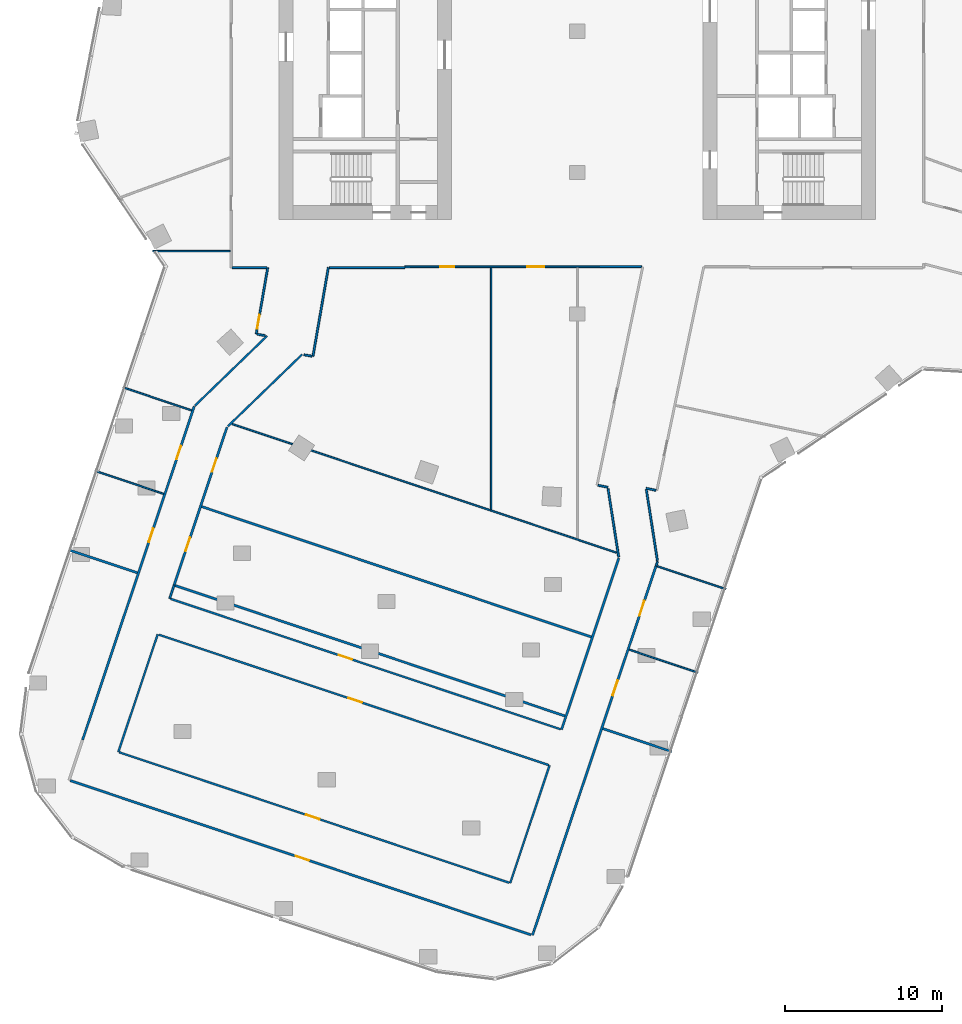
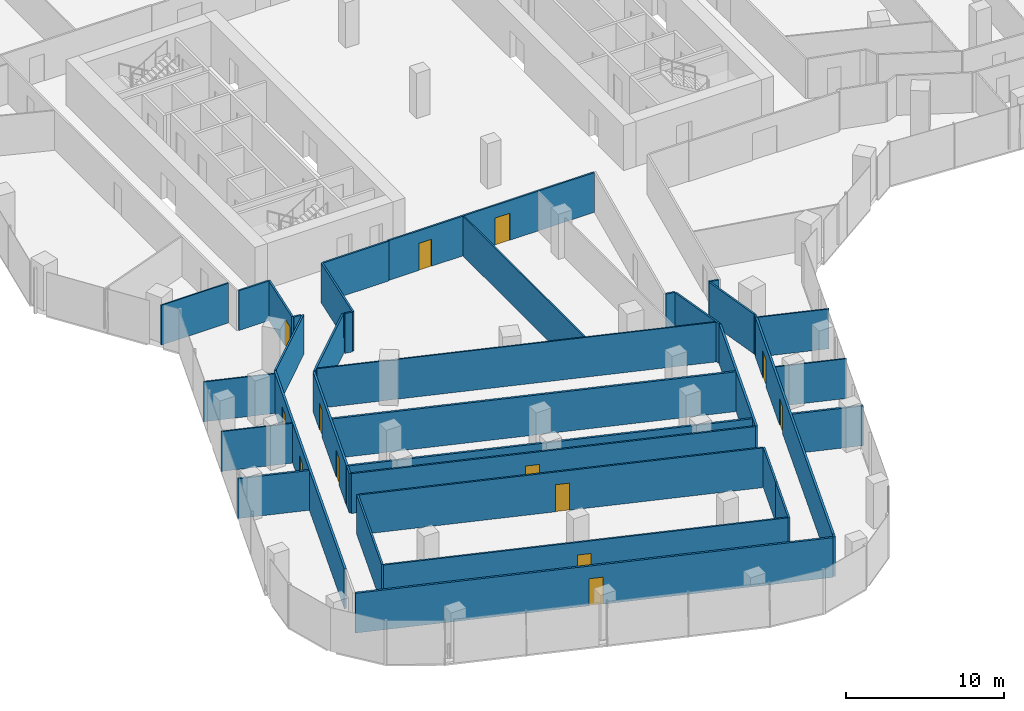
# One storey, part 22 of 32: 38 walls, 13 doors, 13 openings.
"""IFC4 building model written with IfcOpenShell, lengths in metres."""

from ifc_helpers import new_model, si_unit, direction, frame, frame_2d, origin, place, context, subcontext, project, spatial, rectangle, extrude, material, layer, layer_set, type_object, element, fill, save


model = new_model("IFC4")

# Units and contexts
model_context = context("Model", 3, precision=1e-05, world=origin(), true_north=direction((0.0, 1.0)))
body_context = subcontext(model_context, "Body", "Model", "MODEL_VIEW")
ifc_project = project(units=[si_unit("LENGTHUNIT", "METRE"), si_unit("AREAUNIT", "SQUARE_METRE"), si_unit("VOLUMEUNIT", "CUBIC_METRE"), si_unit("PLANEANGLEUNIT", "RADIAN"), si_unit("MASSUNIT", "GRAM", prefix="KILO")], contexts=[model_context])

# Site, building, storey
site_placement = place(None, origin())
site = spatial("IfcSite", under=ifc_project, at=site_placement, CompositionType="ELEMENT")
building_placement = place(site_placement, origin())
building = spatial("IfcBuilding", under=site, at=building_placement, Name="Orlundy Tower", CompositionType="ELEMENT")
storey_placement = place(building_placement, frame((0.0, 0.0, 152.60009765625)))
storey = spatial("IfcBuildingStorey", under=building, at=storey_placement, Name="L39", CompositionType="ELEMENT", Elevation=152.60009765625)

# Walls
ifc_material_1 = material(Name="Gypsum board partition")
ifc_layer_1 = layer(ifc_material_1, 0.10009765625)
ifc_layer_set_1 = layer_set([ifc_layer_1], Name="Floor partition 100")
wall_type_1 = type_object("IfcWallType", Name="Floor partition 100", PredefinedType="PARTITIONING", material=ifc_layer_set_1)
wall_1_placement = place(storey_placement, frame((-5.493896484375, -15.06201171875, 0.0), z_axis=(0.0, 0.0, 1.0), x_axis=(6.3425617e-05, -0.999999997989, 0.0)))
element("IfcWall", 1, at=wall_1_placement, inside=storey, type_object=wall_type_1, Name="wall-int-L39-001", PredefinedType="PARTITIONING", context=body_context, shape_type="SweptSolid", body=[
    extrude(rectangle(XDim=15.39697265625, YDim=0.10009765625, at=frame_2d((7.698486328125, 0.0))), origin(), (0.0, 0.0, 1.0), 3.079833984375),
])
wall_2_placement = place(storey_placement, frame((-30.721923828125, -27.9990234375, 0.0), z_axis=(0.0, 0.0, 1.0), x_axis=(0.948349739438, -0.317226688203, 0.0)))
element("IfcWall", 2, at=wall_2_placement, inside=storey, type_object=wall_type_1, Name="wall-int-L39-020", PredefinedType="PARTITIONING", context=body_context, shape_type="SweptSolid", body=[
    extrude(rectangle(XDim=4.618408203125, YDim=0.10009765625, at=frame_2d((2.30908203125, 0.0))), origin(), (0.0, 0.0, 1.0), 3.079833984375),
])
wall_3_placement = place(storey_placement, frame((3.305908203125, -39.384033203125, 0.0), z_axis=(0.0, 0.0, 1.0), x_axis=(0.948270131157, -0.317464578112, 0.0)))
element("IfcWall", 3, at=wall_3_placement, inside=storey, type_object=wall_type_1, Name="wall-int-L39-022", PredefinedType="PARTITIONING", context=body_context, shape_type="SweptSolid", body=[
    extrude(rectangle(XDim=4.617919921875, YDim=0.10009765625, at=frame_2d((2.30908203125, 0.0))), origin(), (0.0, 0.0, 1.0), 3.079833984375),
])
wall_4_placement = place(storey_placement, frame((-28.943115234375, -22.681884765625, 0.0), z_axis=(0.0, 0.0, 1.0), x_axis=(0.948355058718, -0.317210785763, 0.0)))
element("IfcWall", 4, at=wall_4_placement, inside=storey, type_object=wall_type_1, Name="wall-int-L39-023", PredefinedType="PARTITIONING", context=body_context, shape_type="SweptSolid", body=[
    extrude(rectangle(XDim=4.61865234375, YDim=0.10009765625, at=frame_2d((2.309326171875, 0.0))), origin(), (0.0, 0.0, 1.0), 3.079833984375),
])
wall_5_placement = place(storey_placement, frame((-21.97998046875, -25.011962890625, 0.0), z_axis=(0.0, 0.0, 1.0), x_axis=(0.948316725504, -0.31732536635, 0.0)))
element("IfcWall", 5, at=wall_5_placement, inside=storey, type_object=wall_type_1, Name="wall-int-L39-024", PredefinedType="PARTITIONING", context=body_context, shape_type="SweptSolid", body=[
    extrude(rectangle(XDim=25.8193359375, YDim=0.10009765625, at=frame_2d((12.90966796875, 0.0))), origin(), (0.0, 0.0, 1.0), 3.079833984375),
])
wall_6_placement = place(storey_placement, frame((5.083984375, -34.068115234375, 0.0), z_axis=(0.0, 0.0, 1.0), x_axis=(0.948370959481, -0.317163243793, 0.0)))
element("IfcWall", 6, at=wall_6_placement, inside=storey, type_object=wall_type_1, Name="wall-int-L39-025", PredefinedType="PARTITIONING", context=body_context, shape_type="SweptSolid", body=[
    extrude(rectangle(XDim=4.61865234375, YDim=0.10009765625, at=frame_2d((2.309326171875, 0.0))), origin(), (0.0, 0.0, 1.0), 3.079833984375),
])
wall_7_placement = place(storey_placement, frame((-27.044921875, -14.0, 0.0), z_axis=(0.0, 0.0, 1.0), x_axis=(1.0, 0.0, 0.0)))
element("IfcWall", 7, at=wall_7_placement, inside=storey, type_object=wall_type_1, Name="wall-int-L39-051", PredefinedType="PARTITIONING", context=body_context, shape_type="SweptSolid", body=[
    extrude(rectangle(XDim=4.931884765625, YDim=0.10009765625, at=frame_2d((2.4658203125, 0.0))), origin(), (0.0, 0.0, 1.0), 3.079833984375),
])
ifc_material_2 = material(Name="Gypsum board partition, double layer")
ifc_layer_2 = layer(ifc_material_2, 0.125)
ifc_layer_set_2 = layer_set([ifc_layer_2], Name="Floor partition 125")
wall_type_2 = type_object("IfcWallType", Name="Floor partition 125", PredefinedType="PARTITIONING", material=ifc_layer_set_2)
wall_8_placement = place(storey_placement, frame((2.632080078125, -33.485107421875, 0.0), z_axis=(0.0, 0.0, 1.0), x_axis=(-0.153927089286, 0.988082208717, 0.0)))
element("IfcWall", 8, at=wall_8_placement, inside=storey, type_object=wall_type_2, Name="wall-int-L39-004", PredefinedType="PARTITIONING", context=body_context, shape_type="SweptSolid", body=[
    extrude(rectangle(XDim=4.404541015625, YDim=0.125, at=frame_2d((2.2021484375, 0.0))), origin(), (0.0, 0.0, 1.0), 3.079833984375),
])
wall_9_placement = place(storey_placement, frame((4.39404296875, -29.196044921875, 0.0), z_axis=(0.0, 0.0, 1.0), x_axis=(0.153813799922, -0.9880998507, 0.0)))
element("IfcWall", 9, at=wall_9_placement, inside=storey, type_object=wall_type_2, Name="wall-int-L39-005", PredefinedType="PARTITIONING", context=body_context, shape_type="SweptSolid", body=[
    extrude(rectangle(XDim=4.563232421875, YDim=0.125, at=frame_2d((2.28173828125, 0.0))), origin(), (0.0, 0.0, 1.0), 3.079833984375),
])

# Wall, opening, door
wall_10_placement = place(storey_placement, frame((-29.1708984375, -45.9169921875, 0.0), z_axis=(0.0, 0.0, 1.0), x_axis=(0.948337781815, -0.317262433299, 0.0)))
wall_10 = element("IfcWall", 10, at=wall_10_placement, inside=storey, type_object=wall_type_2, Name="wall-int-L39-014", PredefinedType="PARTITIONING", context=body_context, shape_type="SweptSolid", body=[
    extrude(rectangle(XDim=26.186767578125, YDim=0.125, at=frame_2d((13.09326171875, 0.0))), origin(), (0.0, 0.0, 1.0), 3.079833984375),
])
opening_1_placement = place(wall_10_placement, frame((12.53759765625, 0.0, 0.0)))
opening_1 = element("IfcOpeningElement", 11, at=opening_1_placement, cuts=wall_10, Name="Opening 30113", PredefinedType="OPENING", context=body_context, shape_type="SweptSolid", body=[
    extrude(rectangle(XDim=0.89990234375, YDim=2.10009765625, at=frame_2d((0.449951171875, 1.050048828125))), frame((0.0, 0.072509765625, 0.0), z_axis=(0.0, -1.0, 0.0), x_axis=(1.0, 0.0, 0.0)), (0.0, 0.0, 1.0), 0.14501953125),
])
ifc_material_3 = material(Name="Timber door leaf", Category="wood")
door_type_1 = type_object("IfcDoorType", Name="Floor door single 900 FD30S", OperationType="NOTDEFINED", PredefinedType="DOOR", material=ifc_material_3)
door_1_placement = place(opening_1_placement, origin())
door_1 = element("IfcDoor", 12, at=door_1_placement, inside=storey, type_object=door_type_1, Name="Door 30113", OperationType="SINGLE_SWING_LEFT", OverallHeight=2.10009765625, OverallWidth=0.89990234375, PredefinedType="DOOR", context=body_context, shape_type="SweptSolid", body=[
    extrude(rectangle(XDim=0.89990234375, YDim=2.10009765625, at=frame_2d((0.449951171875, 1.050048828125))), frame((0.0, 0.02490234375, 0.0), z_axis=(0.0, -1.0, 0.0), x_axis=(1.0, 0.0, 0.0)), (0.0, 0.0, 1.0), 0.050048828125),
])
fill(opening_1, door_1)

wall_11_placement = place(storey_placement, frame((-1.8291015625, -46.73193359375, 0.0), z_axis=(0.0, 0.0, 1.0), x_axis=(-0.948329366448, 0.317287586791, 0.0)))
wall_11 = element("IfcWall", 13, at=wall_11_placement, inside=storey, type_object=wall_type_2, Name="wall-int-L39-015", PredefinedType="PARTITIONING", context=body_context, shape_type="SweptSolid", body=[
    extrude(rectangle(XDim=26.18701171875, YDim=0.125, at=frame_2d((13.093505859375, 0.0))), origin(), (0.0, 0.0, 1.0), 3.079833984375),
])
opening_2_placement = place(wall_11_placement, frame((12.53759765625, 0.0, 0.0)))
opening_2 = element("IfcOpeningElement", 14, at=opening_2_placement, cuts=wall_11, Name="Opening 30114", PredefinedType="OPENING", context=body_context, shape_type="SweptSolid", body=[
    extrude(rectangle(XDim=0.89990234375, YDim=2.10009765625, at=frame_2d((0.449951171875, 1.050048828125))), frame((0.0, 0.072509765625, 0.0), z_axis=(0.0, -1.0, 0.0), x_axis=(1.0, 0.0, 0.0)), (0.0, 0.0, 1.0), 0.14501953125),
])
door_2_placement = place(opening_2_placement, origin())
door_2 = element("IfcDoor", 15, at=door_2_placement, inside=storey, type_object=door_type_1, Name="Door 30114", OperationType="SINGLE_SWING_LEFT", OverallHeight=2.10009765625, OverallWidth=0.89990234375, PredefinedType="DOOR", context=body_context, shape_type="SweptSolid", body=[
    extrude(rectangle(XDim=0.89990234375, YDim=2.10009765625, at=frame_2d((0.449951171875, 1.050048828125))), frame((0.0, 0.02490234375, 0.0), z_axis=(0.0, -1.0, 0.0), x_axis=(1.0, 0.0, 0.0)), (0.0, 0.0, 1.0), 0.050048828125),
])
fill(opening_2, door_2)

wall_12_placement = place(storey_placement, frame((-25.90087890625, -36.14599609375, 0.0), z_axis=(0.0, 0.0, 1.0), x_axis=(0.948327321089, -0.317293700025, 0.0)))
wall_12 = element("IfcWall", 16, at=wall_12_placement, inside=storey, type_object=wall_type_2, Name="wall-int-L39-016", PredefinedType="PARTITIONING", context=body_context, shape_type="SweptSolid", body=[
    extrude(rectangle(XDim=26.17431640625, YDim=0.125, at=frame_2d((13.087158203125, 0.0))), origin(), (0.0, 0.0, 1.0), 3.079833984375),
])
opening_3_placement = place(wall_12_placement, frame((11.28759765625, 0.0, 0.0)))
opening_3 = element("IfcOpeningElement", 17, at=opening_3_placement, cuts=wall_12, Name="Opening 30112", PredefinedType="OPENING", context=body_context, shape_type="SweptSolid", body=[
    extrude(rectangle(XDim=0.89990234375, YDim=2.10009765625, at=frame_2d((0.449951171875, 1.050048828125))), frame((0.0, 0.072509765625, 0.0), z_axis=(0.0, -1.0, 0.0), x_axis=(1.0, 0.0, 0.0)), (0.0, 0.0, 1.0), 0.14501953125),
])
door_3_placement = place(opening_3_placement, origin())
door_3 = element("IfcDoor", 18, at=door_3_placement, inside=storey, type_object=door_type_1, Name="Door 30112", OperationType="SINGLE_SWING_LEFT", OverallHeight=2.10009765625, OverallWidth=0.89990234375, PredefinedType="DOOR", context=body_context, shape_type="SweptSolid", body=[
    extrude(rectangle(XDim=0.89990234375, YDim=2.10009765625, at=frame_2d((0.449951171875, 1.050048828125))), frame((0.0, 0.02490234375, 0.0), z_axis=(0.0, -1.0, 0.0), x_axis=(1.0, 0.0, 0.0)), (0.0, 0.0, 1.0), 0.050048828125),
])
fill(opening_3, door_3)

# Walls
wall_13_placement = place(storey_placement, frame((4.3798828125, -29.10693359375, 0.0), z_axis=(0.0, 0.0, 1.0), x_axis=(0.978635010671, -0.205605242852, 0.0)))
element("IfcWall", 19, at=wall_13_placement, inside=storey, type_object=wall_type_2, Name="wall-int-L39-029", PredefinedType="PARTITIONING", context=body_context, shape_type="SweptSolid", body=[
    extrude(rectangle(XDim=0.6376953125, YDim=0.125, at=frame_2d((0.31884765625, 0.0))), origin(), (0.0, 0.0, 1.0), 3.079833984375),
])
wall_14_placement = place(storey_placement, frame((1.31591796875, -28.9140625, 0.0), z_axis=(0.0, 0.0, 1.0), x_axis=(0.979018641563, -0.203770703174, 0.0)))
element("IfcWall", 20, at=wall_14_placement, inside=storey, type_object=wall_type_2, Name="wall-int-L39-030", PredefinedType="PARTITIONING", context=body_context, shape_type="SweptSolid", body=[
    extrude(rectangle(XDim=0.637451171875, YDim=0.125, at=frame_2d((0.31884765625, 0.0))), origin(), (0.0, 0.0, 1.0), 3.079833984375),
])
wall_15_placement = place(storey_placement, frame((-17.407958984375, -20.60791015625, 0.0), z_axis=(0.0, 0.0, 1.0), x_axis=(0.985229157149, -0.171241081238, 0.0)))
element("IfcWall", 21, at=wall_15_placement, inside=storey, type_object=wall_type_2, Name="wall-int-L39-032", PredefinedType="PARTITIONING", context=body_context, shape_type="SweptSolid", body=[
    extrude(rectangle(XDim=0.5146484375, YDim=0.125, at=frame_2d((0.25732421875, 0.0))), origin(), (0.0, 0.0, 1.0), 3.079833984375),
])
wall_16_placement = place(storey_placement, frame((-20.386962890625, -19.297119140625, 0.0), z_axis=(0.0, 0.0, 1.0), x_axis=(0.985183769906, -0.171502010235, 0.0)))
element("IfcWall", 22, at=wall_16_placement, inside=storey, type_object=wall_type_2, Name="wall-int-L39-033", PredefinedType="PARTITIONING", context=body_context, shape_type="SweptSolid", body=[
    extrude(rectangle(XDim=0.512451171875, YDim=0.125, at=frame_2d((0.25634765625, 0.0))), origin(), (0.0, 0.0, 1.0), 3.079833984375),
])
wall_17_placement = place(storey_placement, frame((-21.988037109375, -15.051025390625, 0.0), z_axis=(0.0, 0.0, 1.0), x_axis=(1.0, 0.0, 0.0)))
element("IfcWall", 23, at=wall_17_placement, inside=storey, type_object=wall_type_2, Name="wall-int-L39-046", PredefinedType="PARTITIONING", context=body_context, shape_type="SweptSolid", body=[
    extrude(rectangle(XDim=2.212158203125, YDim=0.125, at=frame_2d((1.10595703125, 0.0))), origin(), (0.0, 0.0, 1.0), 3.079833984375),
])
wall_18_placement = place(storey_placement, frame((-15.79296875, -15.051025390625, 0.0), z_axis=(0.0, 0.0, 1.0), x_axis=(1.0, 0.0, 0.0)))
element("IfcWall", 24, at=wall_18_placement, inside=storey, type_object=wall_type_2, Name="wall-int-L39-047", PredefinedType="PARTITIONING", context=body_context, shape_type="SweptSolid", body=[
    extrude(rectangle(XDim=4.802001953125, YDim=0.125, at=frame_2d((2.40087890625, 0.0))), origin(), (0.0, 0.0, 1.0), 3.079833984375),
])

# Wall, openings, doors
wall_19_placement = place(storey_placement, frame((4.091064453125, -14.998046875, 0.0), z_axis=(0.0, 0.0, 1.0), x_axis=(-0.999999981131, -0.000194262769, 0.0)))
wall_19 = element("IfcWall", 25, at=wall_19_placement, inside=storey, type_object=wall_type_2, Name="wall-int-L39-049", PredefinedType="PARTITIONING", context=body_context, shape_type="SweptSolid", body=[
    extrude(rectangle(XDim=15.0810546875, YDim=0.125, at=frame_2d((7.54052734375, 0.0))), origin(), (0.0, 0.0, 1.0), 3.079833984375),
])
opening_4_placement = place(wall_19_placement, frame((11.934814453125, 0.0, 0.0)))
opening_4 = element("IfcOpeningElement", 26, at=opening_4_placement, cuts=wall_19, Name="Opening 30121", PredefinedType="OPENING", context=body_context, shape_type="SweptSolid", body=[
    extrude(rectangle(XDim=0.89990234375, YDim=2.10009765625, at=frame_2d((0.449951171875, 1.050048828125))), frame((0.0, 0.072509765625, 0.0), z_axis=(0.0, -1.0, 0.0), x_axis=(1.0, 0.0, 0.0)), (0.0, 0.0, 1.0), 0.14501953125),
])
opening_5_placement = place(wall_19_placement, frame((6.19091796875, 0.0, 0.0)))
opening_5 = element("IfcOpeningElement", 27, at=opening_5_placement, cuts=wall_19, Name="Opening 30122", PredefinedType="OPENING", context=body_context, shape_type="SweptSolid", body=[
    extrude(rectangle(XDim=1.10009765625, YDim=2.10009765625, at=frame_2d((0.550048828125, 1.050048828125))), frame((0.0, 0.072509765625, 0.0), z_axis=(0.0, -1.0, 0.0), x_axis=(1.0, 0.0, 0.0)), (0.0, 0.0, 1.0), 0.14501953125),
])
door_4_placement = place(opening_4_placement, origin())
door_4 = element("IfcDoor", 28, at=door_4_placement, inside=storey, type_object=door_type_1, Name="Door 30121", OperationType="SINGLE_SWING_RIGHT", OverallHeight=2.10009765625, OverallWidth=0.89990234375, PredefinedType="DOOR", context=body_context, shape_type="SweptSolid", body=[
    extrude(rectangle(XDim=0.89990234375, YDim=2.10009765625, at=frame_2d((0.449951171875, 1.050048828125))), frame((0.0, 0.02490234375, 0.0), z_axis=(0.0, -1.0, 0.0), x_axis=(1.0, 0.0, 0.0)), (0.0, 0.0, 1.0), 0.050048828125),
])
fill(opening_4, door_4)
ifc_material_4 = material(Name="Timber door leaf", Category="wood")
door_type_2 = type_object("IfcDoorType", Name="Floor door xwide 1100 FD30S", OperationType="NOTDEFINED", PredefinedType="DOOR", material=ifc_material_4)
door_5_placement = place(opening_5_placement, origin())
door_5 = element("IfcDoor", 29, at=door_5_placement, inside=storey, type_object=door_type_2, Name="Door 30122", OperationType="SINGLE_SWING_LEFT", OverallHeight=2.10009765625, OverallWidth=1.10009765625, PredefinedType="DOOR", context=body_context, shape_type="SweptSolid", body=[
    extrude(rectangle(XDim=1.10009765625, YDim=2.10009765625, at=frame_2d((0.550048828125, 1.050048828125))), frame((0.0, 0.02490234375, 0.0), z_axis=(0.0, -1.0, 0.0), x_axis=(1.0, 0.0, 0.0)), (0.0, 0.0, 1.0), 0.050048828125),
])
fill(opening_5, door_5)

# Walls
wall_20_placement = place(storey_placement, frame((-17.529052734375, -20.5869140625, 0.0), z_axis=(0.0, 0.0, 1.0), x_axis=(-0.71863386664, -0.69538864365, 0.0)))
element("IfcWall", 30, at=wall_20_placement, inside=storey, type_object=wall_type_2, Name="wall-int-L39-063", PredefinedType="PARTITIONING", context=body_context, shape_type="SweptSolid", body=[
    extrude(rectangle(XDim=6.57470703125, YDim=0.125, at=frame_2d((3.287353515625, 0.0))), origin(), (0.0, 0.0, 1.0), 3.079833984375),
])
wall_21_placement = place(storey_placement, frame((-24.344970703125, -23.841064453125, 0.0), z_axis=(0.0, 0.0, 1.0), x_axis=(0.718684819468, 0.695335983727, 0.0)))
element("IfcWall", 31, at=wall_21_placement, inside=storey, type_object=wall_type_2, Name="wall-int-L39-064", PredefinedType="PARTITIONING", context=body_context, shape_type="SweptSolid", body=[
    extrude(rectangle(XDim=6.378173828125, YDim=0.125, at=frame_2d((3.18896484375, 0.0))), origin(), (0.0, 0.0, 1.0), 3.079833984375),
])
wall_22_placement = place(storey_placement, frame((5.012939453125, -34.0439453125, 0.0), z_axis=(0.0, 0.0, 1.0), x_axis=(0.318483843222, 0.947928289274, 0.0)))
element("IfcWall", 32, at=wall_22_placement, inside=storey, type_object=wall_type_2, Name="wall-int-L39-066", PredefinedType="PARTITIONING", context=body_context, shape_type="SweptSolid", body=[
    extrude(rectangle(XDim=0.2919921875, YDim=0.125, at=frame_2d((0.14599609375, 0.0))), origin(), (0.0, 0.0, 1.0), 3.079833984375),
])
wall_23_placement = place(storey_placement, frame((-4.278076171875, -54.2451171875, 0.0), z_axis=(0.0, 0.0, 1.0), x_axis=(0.317469687011, 0.94826842077, 0.0)))
element("IfcWall", 33, at=wall_23_placement, inside=storey, type_object=wall_type_2, Name="wall-int-L39-068", PredefinedType="PARTITIONING", context=body_context, shape_type="SweptSolid", body=[
    extrude(rectangle(XDim=3.950439453125, YDim=0.125, at=frame_2d((1.97509765625, 0.0))), origin(), (0.0, 0.0, 1.0), 3.079833984375),
])
wall_24_placement = place(storey_placement, frame((-3.02392578125, -50.4990234375, 0.0), z_axis=(0.0, 0.0, 1.0), x_axis=(0.317339720629, 0.94831192216, 0.0)))
element("IfcWall", 34, at=wall_24_placement, inside=storey, type_object=wall_type_2, Name="wall-int-L39-069", PredefinedType="PARTITIONING", context=body_context, shape_type="SweptSolid", body=[
    extrude(rectangle(XDim=3.951416015625, YDim=0.125, at=frame_2d((1.9755859375, 0.0))), origin(), (0.0, 0.0, 1.0), 3.079833984375),
])
wall_25_placement = place(storey_placement, frame((-29.22998046875, -45.89697265625, 0.0), z_axis=(0.0, 0.0, 1.0), x_axis=(0.317376800691, 0.948299513014, 0.0)))
element("IfcWall", 35, at=wall_25_placement, inside=storey, type_object=wall_type_2, Name="wall-int-L39-071", PredefinedType="PARTITIONING", context=body_context, shape_type="SweptSolid", body=[
    extrude(rectangle(XDim=7.90234375, YDim=0.125, at=frame_2d((3.951171875, 0.0))), origin(), (0.0, 0.0, 1.0), 3.079833984375),
])
wall_26_placement = place(storey_placement, frame((-25.9599609375, -36.1259765625, 0.0), z_axis=(0.0, 0.0, 1.0), x_axis=(0.316799745903, 0.948492446462, 0.0)))
element("IfcWall", 36, at=wall_26_placement, inside=storey, type_object=wall_type_2, Name="wall-int-L39-073", PredefinedType="PARTITIONING", context=body_context, shape_type="SweptSolid", body=[
    extrude(rectangle(XDim=0.896240234375, YDim=0.125, at=frame_2d((0.4482421875, 0.0))), origin(), (0.0, 0.0, 1.0), 3.079833984375),
])
wall_27_placement = place(storey_placement, frame((-15.85595703125, -15.051025390625, 0.0), z_axis=(0.0, 0.0, 1.0), x_axis=(-0.171050411477, -0.985262278144, 0.0)))
element("IfcWall", 37, at=wall_27_placement, inside=storey, type_object=wall_type_2, Name="wall-int-L39-080", PredefinedType="PARTITIONING", context=body_context, shape_type="SweptSolid", body=[
    extrude(rectangle(XDim=5.74072265625, YDim=0.125, at=frame_2d((2.870361328125, 0.0))), origin(), (0.0, 0.0, 1.0), 3.079833984375),
])

# Wall, opening, door
wall_28_placement = place(storey_placement, frame((-20.449951171875, -19.285888671875, 0.0), z_axis=(0.0, 0.0, 1.0), x_axis=(0.171125236447, 0.985249284928, 0.0)))
wall_28 = element("IfcWall", 38, at=wall_28_placement, inside=storey, type_object=wall_type_2, Name="wall-int-L39-081", PredefinedType="PARTITIONING", context=body_context, shape_type="SweptSolid", body=[
    extrude(rectangle(XDim=4.294189453125, YDim=0.125, at=frame_2d((2.14697265625, 0.0))), origin(), (0.0, 0.0, 1.0), 3.079833984375),
])
opening_6_placement = place(wall_28_placement, frame((0.35009765625, 0.0, 0.0)))
opening_6 = element("IfcOpeningElement", 39, at=opening_6_placement, cuts=wall_28, Name="Opening 30120", PredefinedType="OPENING", context=body_context, shape_type="SweptSolid", body=[
    extrude(rectangle(XDim=0.89990234375, YDim=2.10009765625, at=frame_2d((0.449951171875, 1.050048828125))), frame((0.0, 0.072509765625, 0.0), z_axis=(0.0, -1.0, 0.0), x_axis=(1.0, 0.0, 0.0)), (0.0, 0.0, 1.0), 0.14501953125),
])
door_6_placement = place(opening_6_placement, origin())
door_6 = element("IfcDoor", 40, at=door_6_placement, inside=storey, type_object=door_type_1, Name="Door 30120", OperationType="SINGLE_SWING_LEFT", OverallHeight=2.10009765625, OverallWidth=0.89990234375, PredefinedType="DOOR", context=body_context, shape_type="SweptSolid", body=[
    extrude(rectangle(XDim=0.89990234375, YDim=2.10009765625, at=frame_2d((0.449951171875, 1.050048828125))), frame((0.0, 0.02490234375, 0.0), z_axis=(0.0, -1.0, 0.0), x_axis=(1.0, 0.0, 0.0)), (0.0, 0.0, 1.0), 0.050048828125),
])
fill(opening_6, door_6)

ifc_material_5 = material(Name="Blockwork shaft wall", Category="masonry")
ifc_layer_3 = layer(ifc_material_5, 0.14990234375)
ifc_layer_set_3 = layer_set([ifc_layer_3], Name="Floor shaft wall 150")
wall_type_3 = type_object("IfcWallType", Name="Floor shaft wall 150", PredefinedType="PARTITIONING", material=ifc_layer_set_3)
wall_29_placement = place(storey_placement, frame((-2.951904296875, -57.54296875, 0.0), z_axis=(0.0, 0.0, 1.0), x_axis=(-0.948265852258, 0.317477358942, 0.0)))
wall_29 = element("IfcWall", 41, at=wall_29_placement, inside=storey, type_object=wall_type_3, Name="wall-int-L39-013", PredefinedType="PARTITIONING", context=body_context, shape_type="SweptSolid", body=[
    extrude(rectangle(XDim=30.940673828125, YDim=0.14990234375, at=frame_2d((15.47021484375, 0.0))), origin(), (0.0, 0.0, 1.0), 3.079833984375),
])
opening_7_placement = place(wall_29_placement, frame((14.90283203125, 0.0, 0.0)))
opening_7 = element("IfcOpeningElement", 42, at=opening_7_placement, cuts=wall_29, Name="Opening 30115", PredefinedType="OPENING", context=body_context, shape_type="SweptSolid", body=[
    extrude(rectangle(XDim=0.89990234375, YDim=2.10009765625, at=frame_2d((0.449951171875, 1.050048828125))), frame((0.0, 0.0849609375, 0.0), z_axis=(0.0, -1.0, 0.0), x_axis=(1.0, 0.0, 0.0)), (0.0, 0.0, 1.0), 0.169921875),
])
ifc_material_6 = material(Name="Timber door leaf", Category="wood")
door_type_3 = type_object("IfcDoorType", Name="Floor door single 900 FD60", OperationType="NOTDEFINED", PredefinedType="DOOR", material=ifc_material_6)
door_7_placement = place(opening_7_placement, origin())
door_7 = element("IfcDoor", 43, at=door_7_placement, inside=storey, type_object=door_type_3, Name="Door 30115", OperationType="SINGLE_SWING_LEFT", OverallHeight=2.10009765625, OverallWidth=0.89990234375, PredefinedType="DOOR", context=body_context, shape_type="SweptSolid", body=[
    extrude(rectangle(XDim=0.89990234375, YDim=2.10009765625, at=frame_2d((0.449951171875, 1.050048828125))), frame((0.0, 0.02490234375, 0.0), z_axis=(0.0, -1.0, 0.0), x_axis=(1.0, 0.0, 0.0)), (0.0, 0.0, 1.0), 0.050048828125),
])
fill(opening_7, door_7)

# Walls
wall_30_placement = place(storey_placement, frame((-32.404052734375, -33.02490234375, 0.0), z_axis=(0.0, 0.0, 1.0), x_axis=(0.948376327841, -0.317147191049, 0.0)))
element("IfcWall", 44, at=wall_30_placement, inside=storey, type_object=wall_type_3, Name="wall-int-L39-017", PredefinedType="PARTITIONING", context=body_context, shape_type="SweptSolid", body=[
    extrude(rectangle(XDim=4.61962890625, YDim=0.14990234375, at=frame_2d((2.309814453125, 0.0))), origin(), (0.0, 0.0, 1.0), 3.079833984375),
])
wall_31_placement = place(storey_placement, frame((-25.60498046875, -35.300048828125, 0.0), z_axis=(0.0, 0.0, 1.0), x_axis=(0.948327152728, -0.317294203223, 0.0)))
element("IfcWall", 45, at=wall_31_placement, inside=storey, type_object=wall_type_3, Name="wall-int-L39-018", PredefinedType="PARTITIONING", context=body_context, shape_type="SweptSolid", body=[
    extrude(rectangle(XDim=26.161865234375, YDim=0.14990234375, at=frame_2d((13.0810546875, 0.0))), origin(), (0.0, 0.0, 1.0), 3.079833984375),
])
wall_32_placement = place(storey_placement, frame((1.6240234375, -44.410888671875, 0.0), z_axis=(0.0, 0.0, 1.0), x_axis=(0.948328454315, -0.317290313021, 0.0)))
element("IfcWall", 46, at=wall_32_placement, inside=storey, type_object=wall_type_3, Name="wall-int-L39-019", PredefinedType="PARTITIONING", context=body_context, shape_type="SweptSolid", body=[
    extrude(rectangle(XDim=4.617431640625, YDim=0.14990234375, at=frame_2d((2.30859375, 0.0))), origin(), (0.0, 0.0, 1.0), 3.079833984375),
])
wall_33_placement = place(storey_placement, frame((-23.923095703125, -30.27392578125, 0.0), z_axis=(0.0, 0.0, 1.0), x_axis=(0.948327152728, -0.317294203223, 0.0)))
element("IfcWall", 47, at=wall_33_placement, inside=storey, type_object=wall_type_3, Name="wall-int-L39-021", PredefinedType="PARTITIONING", context=body_context, shape_type="SweptSolid", body=[
    extrude(rectangle(XDim=26.161865234375, YDim=0.14990234375, at=frame_2d((13.0810546875, 0.0))), origin(), (0.0, 0.0, 1.0), 3.079833984375),
])
wall_34_placement = place(storey_placement, frame((-2.85791015625, -57.568115234375, 0.0), z_axis=(0.0, 0.0, 1.0), x_axis=(0.319888251559, 0.947455279427, 0.0)))
element("IfcWall", 48, at=wall_34_placement, inside=storey, type_object=wall_type_3, Name="wall-int-L39-065", PredefinedType="PARTITIONING", context=body_context, shape_type="SweptSolid", body=[
    extrude(rectangle(XDim=0.300048828125, YDim=0.14990234375, at=frame_2d((0.14990234375, 0.0))), origin(), (0.0, 0.0, 1.0), 3.079833984375),
])

# Wall, openings, doors
wall_35_placement = place(storey_placement, frame((5.011962890625, -34.0439453125, 0.0), z_axis=(0.0, 0.0, 1.0), x_axis=(-0.317228830318, -0.948349022889, 0.0)))
wall_35 = element("IfcWall", 49, at=wall_35_placement, inside=storey, type_object=wall_type_3, Name="wall-int-L39-067", PredefinedType="PARTITIONING", context=body_context, shape_type="SweptSolid", body=[
    extrude(rectangle(XDim=24.505615234375, YDim=0.14990234375, at=frame_2d((12.2529296875, 0.0))), origin(), (0.0, 0.0, 1.0), 3.079833984375),
])
opening_8_placement = place(wall_35_placement, frame((2.349365234375, 0.0, 0.0)))
opening_8 = element("IfcOpeningElement", 50, at=opening_8_placement, cuts=wall_35, Name="Opening 30108", PredefinedType="OPENING", context=body_context, shape_type="SweptSolid", body=[
    extrude(rectangle(XDim=1.0, YDim=2.10009765625, at=frame_2d((0.5, 1.050048828125))), frame((0.0, 0.0849609375, 0.0), z_axis=(0.0, -1.0, 0.0), x_axis=(1.0, 0.0, 0.0)), (0.0, 0.0, 1.0), 0.169921875),
])
opening_9_placement = place(wall_35_placement, frame((7.704833984375, 0.0, 0.0)))
opening_9 = element("IfcOpeningElement", 51, at=opening_9_placement, cuts=wall_35, Name="Opening 30109", PredefinedType="OPENING", context=body_context, shape_type="SweptSolid", body=[
    extrude(rectangle(XDim=1.0, YDim=2.10009765625, at=frame_2d((0.5, 1.050048828125))), frame((0.0, 0.0849609375, 0.0), z_axis=(0.0, -1.0, 0.0), x_axis=(1.0, 0.0, 0.0)), (0.0, 0.0, 1.0), 0.169921875),
])
ifc_material_7 = material(Name="Timber door leaf", Category="wood")
door_type_4 = type_object("IfcDoorType", Name="Floor door wide 1000 FD60", OperationType="NOTDEFINED", PredefinedType="DOOR", material=ifc_material_7)
door_8_placement = place(opening_8_placement, origin())
door_8 = element("IfcDoor", 52, at=door_8_placement, inside=storey, type_object=door_type_4, Name="Door 30108", OperationType="SINGLE_SWING_LEFT", OverallHeight=2.10009765625, OverallWidth=1.0, PredefinedType="DOOR", context=body_context, shape_type="SweptSolid", body=[
    extrude(rectangle(XDim=1.0, YDim=2.10009765625, at=frame_2d((0.5, 1.050048828125))), frame((0.0, 0.02490234375, 0.0), z_axis=(0.0, -1.0, 0.0), x_axis=(1.0, 0.0, 0.0)), (0.0, 0.0, 1.0), 0.050048828125),
])
fill(opening_8, door_8)
door_9_placement = place(opening_9_placement, origin())
door_9 = element("IfcDoor", 53, at=door_9_placement, inside=storey, type_object=door_type_4, Name="Door 30109", OperationType="SINGLE_SWING_LEFT", OverallHeight=2.10009765625, OverallWidth=1.0, PredefinedType="DOOR", context=body_context, shape_type="SweptSolid", body=[
    extrude(rectangle(XDim=1.0, YDim=2.10009765625, at=frame_2d((0.5, 1.050048828125))), frame((0.0, 0.02490234375, 0.0), z_axis=(0.0, -1.0, 0.0), x_axis=(1.0, 0.0, 0.0)), (0.0, 0.0, 1.0), 0.050048828125),
])
fill(opening_9, door_9)

# Wall
wall_36_placement = place(storey_placement, frame((-1.008056640625, -44.47509765625, 0.0), z_axis=(0.0, 0.0, 1.0), x_axis=(0.316889155775, 0.948462578572, 0.0)))
element("IfcWall", 54, at=wall_36_placement, inside=storey, type_object=wall_type_3, Name="wall-int-L39-070", PredefinedType="PARTITIONING", context=body_context, shape_type="SweptSolid", body=[
    extrude(rectangle(XDim=11.515625, YDim=0.14990234375, at=frame_2d((5.7578125, 0.0))), origin(), (0.0, 0.0, 1.0), 3.079833984375),
])

# Wall, openings, doors
wall_37_placement = place(storey_placement, frame((-22.306884765625, -25.2099609375, 0.0), z_axis=(0.0, 0.0, 1.0), x_axis=(-0.317400526235, -0.948291572221, 0.0)))
wall_37 = element("IfcWall", 55, at=wall_37_placement, inside=storey, type_object=wall_type_3, Name="wall-int-L39-072", PredefinedType="PARTITIONING", context=body_context, shape_type="SweptSolid", body=[
    extrude(rectangle(XDim=10.61474609375, YDim=0.14990234375, at=frame_2d((5.307373046875, 0.0))), origin(), (0.0, 0.0, 1.0), 3.079833984375),
])
opening_10_placement = place(wall_37_placement, frame((2.100830078125, 0.0, 0.0)))
opening_10 = element("IfcOpeningElement", 56, at=opening_10_placement, cuts=wall_37, Name="Opening 30110", PredefinedType="OPENING", context=body_context, shape_type="SweptSolid", body=[
    extrude(rectangle(XDim=0.89990234375, YDim=2.10009765625, at=frame_2d((0.449951171875, 1.050048828125))), frame((0.0, 0.0849609375, 0.0), z_axis=(0.0, -1.0, 0.0), x_axis=(1.0, 0.0, 0.0)), (0.0, 0.0, 1.0), 0.169921875),
])
opening_11_placement = place(wall_37_placement, frame((7.414306640625, 0.0, 0.0)))
opening_11 = element("IfcOpeningElement", 57, at=opening_11_placement, cuts=wall_37, Name="Opening 30111", PredefinedType="OPENING", context=body_context, shape_type="SweptSolid", body=[
    extrude(rectangle(XDim=0.89990234375, YDim=2.10009765625, at=frame_2d((0.449951171875, 1.050048828125))), frame((0.0, 0.0849609375, 0.0), z_axis=(0.0, -1.0, 0.0), x_axis=(1.0, 0.0, 0.0)), (0.0, 0.0, 1.0), 0.169921875),
])
door_10_placement = place(opening_10_placement, origin())
door_10 = element("IfcDoor", 58, at=door_10_placement, inside=storey, type_object=door_type_3, Name="Door 30110", OperationType="SINGLE_SWING_LEFT", OverallHeight=2.10009765625, OverallWidth=0.89990234375, PredefinedType="DOOR", context=body_context, shape_type="SweptSolid", body=[
    extrude(rectangle(XDim=0.89990234375, YDim=2.10009765625, at=frame_2d((0.449951171875, 1.050048828125))), frame((0.0, 0.02490234375, 0.0), z_axis=(0.0, -1.0, 0.0), x_axis=(1.0, 0.0, 0.0)), (0.0, 0.0, 1.0), 0.050048828125),
])
fill(opening_10, door_10)
door_11_placement = place(opening_11_placement, origin())
door_11 = element("IfcDoor", 59, at=door_11_placement, inside=storey, type_object=door_type_3, Name="Door 30111", OperationType="SINGLE_SWING_RIGHT", OverallHeight=2.10009765625, OverallWidth=0.89990234375, PredefinedType="DOOR", context=body_context, shape_type="SweptSolid", body=[
    extrude(rectangle(XDim=0.89990234375, YDim=2.10009765625, at=frame_2d((0.449951171875, 1.050048828125))), frame((0.0, 0.02490234375, 0.0), z_axis=(0.0, -1.0, 0.0), x_axis=(1.0, 0.0, 0.0)), (0.0, 0.0, 1.0), 0.050048828125),
])
fill(opening_11, door_11)

wall_38_placement = place(storey_placement, frame((-31.507080078125, -45.135009765625, 0.0), z_axis=(0.0, 0.0, 1.0), x_axis=(0.317398027953, 0.948292408412, 0.0)))
wall_38 = element("IfcWall", 60, at=wall_38_placement, inside=storey, type_object=wall_type_3, Name="wall-int-L39-074", PredefinedType="PARTITIONING", context=body_context, shape_type="SweptSolid", body=[
    extrude(rectangle(XDim=22.401123046875, YDim=0.14990234375, at=frame_2d((11.20068359375, 0.0))), origin(), (0.0, 0.0, 1.0), 3.079833984375),
])
opening_12_placement = place(wall_38_placement, frame((18.849853515625, 0.0, 0.0)))
opening_12 = element("IfcOpeningElement", 61, at=opening_12_placement, cuts=wall_38, Name="Opening 30116", PredefinedType="OPENING", context=body_context, shape_type="SweptSolid", body=[
    extrude(rectangle(XDim=0.89990234375, YDim=2.10009765625, at=frame_2d((0.449951171875, 1.050048828125))), frame((0.0, 0.0849609375, 0.0), z_axis=(0.0, -1.0, 0.0), x_axis=(1.0, 0.0, 0.0)), (0.0, 0.0, 1.0), 0.169921875),
])
opening_13_placement = place(wall_38_placement, frame((13.30029296875, 0.0, 0.0)))
opening_13 = element("IfcOpeningElement", 62, at=opening_13_placement, cuts=wall_38, Name="Opening 30117", PredefinedType="OPENING", context=body_context, shape_type="SweptSolid", body=[
    extrude(rectangle(XDim=0.89990234375, YDim=2.10009765625, at=frame_2d((0.449951171875, 1.050048828125))), frame((0.0, 0.0849609375, 0.0), z_axis=(0.0, -1.0, 0.0), x_axis=(1.0, 0.0, 0.0)), (0.0, 0.0, 1.0), 0.169921875),
])
door_12_placement = place(opening_12_placement, origin())
door_12 = element("IfcDoor", 63, at=door_12_placement, inside=storey, type_object=door_type_3, Name="Door 30116", OperationType="SINGLE_SWING_RIGHT", OverallHeight=2.10009765625, OverallWidth=0.89990234375, PredefinedType="DOOR", context=body_context, shape_type="SweptSolid", body=[
    extrude(rectangle(XDim=0.89990234375, YDim=2.10009765625, at=frame_2d((0.449951171875, 1.050048828125))), frame((0.0, 0.02490234375, 0.0), z_axis=(0.0, -1.0, 0.0), x_axis=(1.0, 0.0, 0.0)), (0.0, 0.0, 1.0), 0.050048828125),
])
fill(opening_12, door_12)
door_13_placement = place(opening_13_placement, origin())
door_13 = element("IfcDoor", 64, at=door_13_placement, inside=storey, type_object=door_type_3, Name="Door 30117", OperationType="SINGLE_SWING_RIGHT", OverallHeight=2.10009765625, OverallWidth=0.89990234375, PredefinedType="DOOR", context=body_context, shape_type="SweptSolid", body=[
    extrude(rectangle(XDim=0.89990234375, YDim=2.10009765625, at=frame_2d((0.449951171875, 1.050048828125))), frame((0.0, 0.02490234375, 0.0), z_axis=(0.0, -1.0, 0.0), x_axis=(1.0, 0.0, 0.0)), (0.0, 0.0, 1.0), 0.050048828125),
])
fill(opening_13, door_13)

save(model, "model.ifc")
